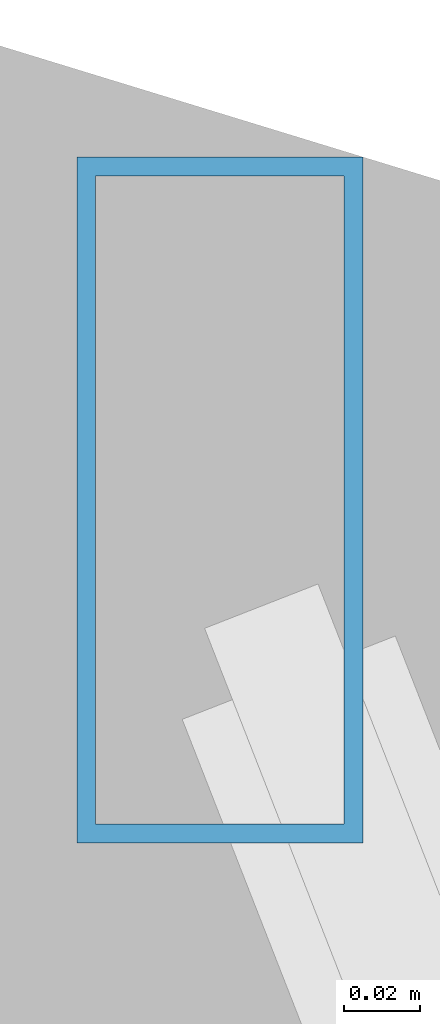
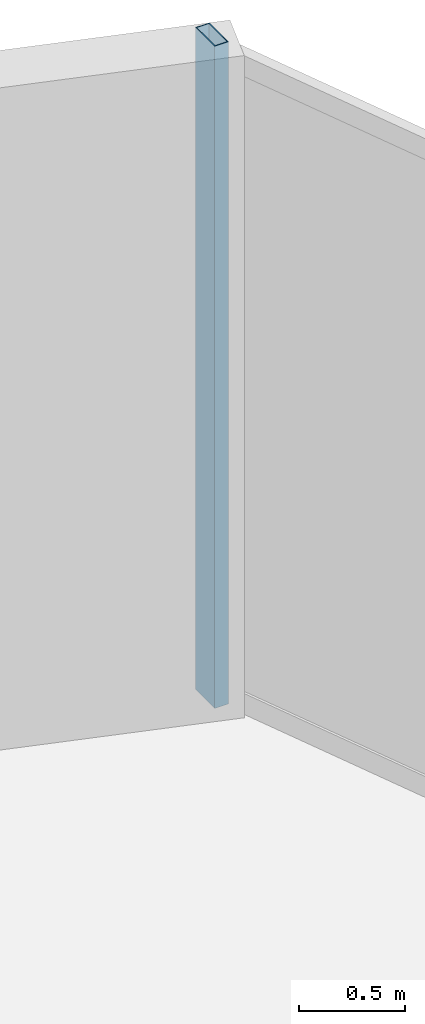
# One storey, part 22 of 29: 1 member, 1 element without a shape of its own.
"""IFC4 building model written with IfcOpenShell, lengths in metres."""

from ifc_helpers import new_model, si_unit, direction, frame, origin, origin_2d, place, context, subcontext, project, spatial, hollow_rectangle, extrude, material, layer, layer_set, material_profile, profile_set, type_object, element, aggregate, save


model = new_model("IFC4")

# Units and contexts
model_context = context("Model", 3, precision=1e-05, world=origin(), true_north=direction((0.0, 1.0)))
body_context = subcontext(model_context, "Body", "Model", "MODEL_VIEW")
ifc_project = project(units=[si_unit("LENGTHUNIT", "METRE"), si_unit("AREAUNIT", "SQUARE_METRE"), si_unit("VOLUMEUNIT", "CUBIC_METRE"), si_unit("PLANEANGLEUNIT", "RADIAN"), si_unit("MASSUNIT", "GRAM", prefix="KILO")], contexts=[model_context])

# Site, building, storey
site_placement = place(None, origin())
site = spatial("IfcSite", under=ifc_project, at=site_placement, CompositionType="ELEMENT")
building_placement = place(site_placement, origin())
building = spatial("IfcBuilding", under=site, at=building_placement, Name="Veymaron Broadcast Tower", CompositionType="ELEMENT")
storey_placement = place(building_placement, frame((0.0, 0.0, 58.050048828125)))
storey = spatial("IfcBuildingStorey", under=building, at=storey_placement, Name="L12", CompositionType="ELEMENT", Elevation=58.050048828125)

# Curtain wall, member
ifc_material_1 = material(Name="Anodised aluminium AA 6063-T6 and laminated low-E dark glass", Category="aluminium")
ifc_layer = layer(ifc_material_1, 0.179931640625)
ifc_layer_set = layer_set([ifc_layer], Name="Anodised aluminium AA 6063-T6 and laminated low-E dark glass")
curtain_wall_type = type_object("IfcCurtainWallType", Name="CW-SYS-02", PredefinedType="NOTDEFINED", material=ifc_layer_set)
curtain_wall_placement = place(storey_placement, origin())
curtain_wall = element("IfcCurtainWall", 1, at=curtain_wall_placement, inside=storey, type_object=curtain_wall_type, Name="L12 dark-glass curtain wall CW-L12-E5-1", PredefinedType="NOTDEFINED")
ifc_material_2 = material(Name="Anodised aluminium AA 6063-T6", Category="aluminium")
ifc_material_profile = material_profile(ifc_material_2, hollow_rectangle(XDim=0.074951171875, YDim=0.179931640625, WallThickness=0.0048828125, at=origin_2d()), Name="AL180X75X5")
ifc_profile_set = profile_set([ifc_material_profile], Name="Anodised aluminium AA 6063-T6")
member_type = type_object("IfcMemberType", Name="CW-MUL-02", PredefinedType="MULLION", material=ifc_profile_set)
member_placement = place(storey_placement, frame((41.6220703125, 44.052978515625, 0.0), z_axis=(0.0, 0.0, 1.0), x_axis=(1.0, 0.0, 0.0)))
member = element("IfcMember", 2, at=member_placement, type_object=member_type, Name="CW-L12-E5-1 mullion 2", PredefinedType="MULLION", context=body_context, shape_type="SweptSolid", body=[
    extrude(hollow_rectangle(XDim=0.074951171875, YDim=0.179931640625, WallThickness=0.0048828125, at=origin_2d()), origin(), (0.0, 0.0, 1.0), 3.81005859375),
])
aggregate(curtain_wall, [member])

save(model, "model.ifc")
